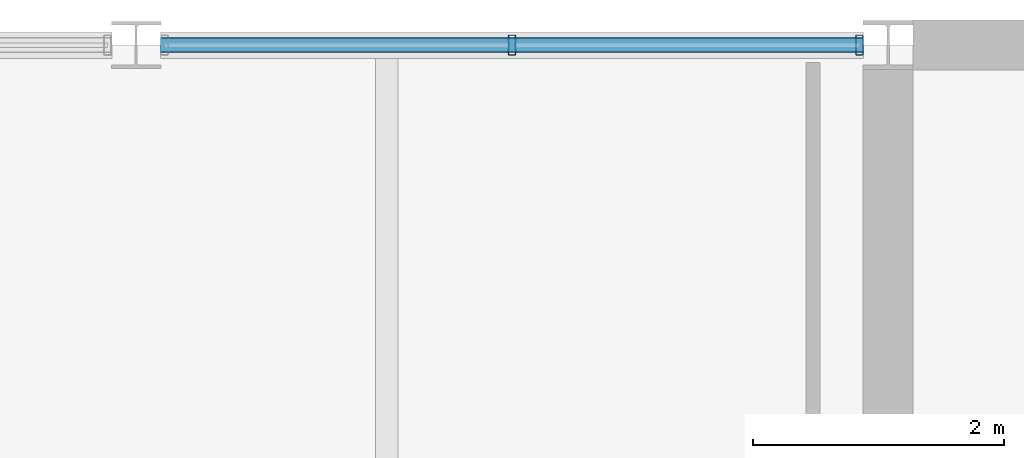
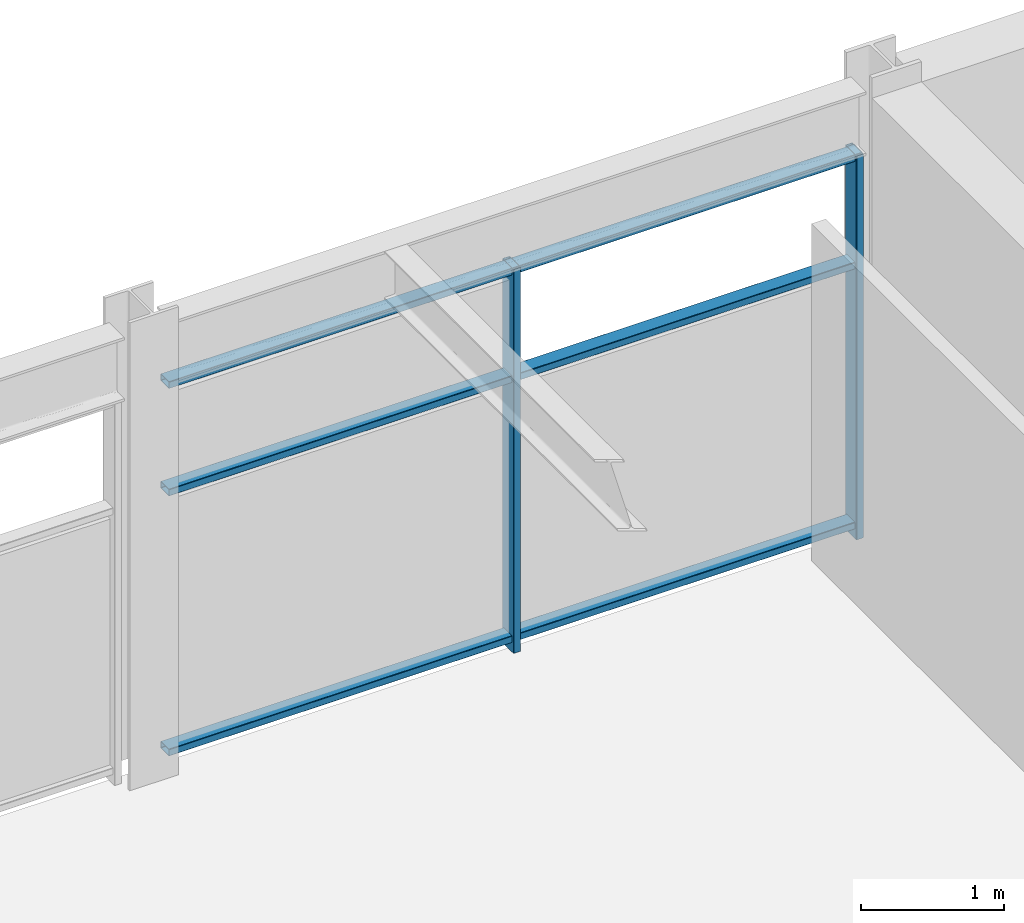
# One storey, part 37 of 51: 5 members, 1 element without a shape of its own.
"""IFC4 building model written with IfcOpenShell, lengths in metres."""

from ifc_helpers import new_model, si_unit, direction, frame, origin, origin_2d, place, context, subcontext, project, spatial, hollow_rectangle, extrude, material, material_profile, profile_set, type_object, element, aggregate, save


model = new_model("IFC4")

# Units and contexts
model_context = context("Model", 3, precision=1e-05, world=origin(), true_north=direction((0.0, 1.0)))
body_context = subcontext(model_context, "Body", "Model", "MODEL_VIEW")
ifc_project = project(units=[si_unit("LENGTHUNIT", "METRE"), si_unit("AREAUNIT", "SQUARE_METRE"), si_unit("VOLUMEUNIT", "CUBIC_METRE"), si_unit("PLANEANGLEUNIT", "RADIAN"), si_unit("MASSUNIT", "GRAM", prefix="KILO")], contexts=[model_context])

# Site, building, storey
site_placement = place(None, origin())
site = spatial("IfcSite", under=ifc_project, at=site_placement, CompositionType="ELEMENT")
building_placement = place(site_placement, origin())
building = spatial("IfcBuilding", under=site, at=building_placement, Name="Girod Span Mobility Hub", CompositionType="ELEMENT")
storey_placement = place(building_placement, frame((0.0, 0.0, 41.60009765625)))
storey = spatial("IfcBuildingStorey", under=building, at=storey_placement, Name="L10", CompositionType="ELEMENT", Elevation=41.60009765625)

# Curtain wall, members
ifc_material_1 = material(Name="Thermally Broken Anodised Aluminium", Category="aluminium")
curtain_wall_type = type_object("IfcCurtainWallType", Name="CW-561X328", PredefinedType="USERDEFINED", material=ifc_material_1)
curtain_wall_placement = place(storey_placement, origin())
curtain_wall = element("IfcCurtainWall", 1, at=curtain_wall_placement, inside=storey, type_object=curtain_wall_type, Name="Unitised Curtain Wall CW-L10-N09E L10", ObjectType="UNITISED CURTAIN WALL", PredefinedType="USERDEFINED")
ifc_material_2 = material(Name="Thermally Broken Anodised Aluminium", Category="aluminium")
ifc_material_profile_1 = material_profile(ifc_material_2, hollow_rectangle(XDim=0.159912109375, YDim=0.06005859375, WallThickness=0.00341796875, InnerFilletRadius=0.00341796875, OuterFilletRadius=0.007080078125, at=origin_2d()), Name="CW-ML-60X160")
ifc_profile_set_1 = profile_set([ifc_material_profile_1], Name="Thermally Broken Anodised Aluminium")
member_type_1 = type_object("IfcMemberType", Name="CWM-ML-3", PredefinedType="MULLION", material=ifc_profile_set_1)
member_1_placement = place(storey_placement, frame((104.998779296875, 69.0, 0.0), z_axis=(0.0, 0.0, 1.0), x_axis=(0.0, 1.0, 0.0)))
member_1 = element("IfcMember", 2, at=member_1_placement, type_object=member_type_1, Name="Curtain Wall Mullion CW-L10-N09E-M1", PredefinedType="MULLION", context=body_context, shape_type="SweptSolid", body=[
    extrude(hollow_rectangle(XDim=0.159912109375, YDim=0.06005859375, WallThickness=0.00341796875, InnerFilletRadius=0.00341796875, OuterFilletRadius=0.007080078125, at=origin_2d()), origin(), (0.0, 0.0, 1.0), 3.281005859375),
])
member_2_placement = place(storey_placement, frame((107.7705078125, 69.0, 0.0), z_axis=(0.0, 0.0, 1.0), x_axis=(0.0, 1.0, 0.0)))
member_2 = element("IfcMember", 3, at=member_2_placement, type_object=member_type_1, Name="Curtain Wall Mullion CW-L10-N09E-M2", PredefinedType="MULLION", context=body_context, shape_type="SweptSolid", body=[
    extrude(hollow_rectangle(XDim=0.159912109375, YDim=0.06005859375, WallThickness=0.00341796875, InnerFilletRadius=0.00341796875, OuterFilletRadius=0.007080078125, at=origin_2d()), origin(), (0.0, 0.0, 1.0), 3.281005859375),
])
ifc_material_3 = material(Name="Thermally Broken Anodised Aluminium", Category="aluminium")
ifc_material_profile_2 = material_profile(ifc_material_3, hollow_rectangle(XDim=0.1201171875, YDim=0.06005859375, WallThickness=0.00341796875, InnerFilletRadius=0.00341796875, OuterFilletRadius=0.007080078125, at=origin_2d()), Name="CW-TR-60X120")
ifc_profile_set_2 = profile_set([ifc_material_profile_2], Name="Thermally Broken Anodised Aluminium")
member_type_2 = type_object("IfcMemberType", Name="CWM-TR-3", PredefinedType="USERDEFINED", material=ifc_profile_set_2)
member_3_placement = place(storey_placement, frame((102.195068359375, 69.0, 0.10986328125), z_axis=(1.0, 0.0, 0.0), x_axis=(0.0, 1.0, 0.0)))
member_3 = element("IfcMember", 4, at=member_3_placement, type_object=member_type_2, Name="Curtain Wall Transom CW-L10-N09E-T1", ObjectType="TRANSOM", PredefinedType="USERDEFINED", context=body_context, shape_type="SweptSolid", body=[
    extrude(hollow_rectangle(XDim=0.1201171875, YDim=0.06005859375, WallThickness=0.00341796875, InnerFilletRadius=0.00341796875, OuterFilletRadius=0.007080078125, at=origin_2d()), origin(), (0.0, 0.0, 1.0), 5.607421875),
])
member_4_placement = place(storey_placement, frame((102.195068359375, 69.0, 2.332275390625), z_axis=(1.0, 0.0, 0.0), x_axis=(0.0, 1.0, 0.0)))
member_4 = element("IfcMember", 5, at=member_4_placement, type_object=member_type_2, Name="Curtain Wall Transom CW-L10-N09E-T2", ObjectType="TRANSOM", PredefinedType="USERDEFINED", context=body_context, shape_type="SweptSolid", body=[
    extrude(hollow_rectangle(XDim=0.1201171875, YDim=0.06005859375, WallThickness=0.00341796875, InnerFilletRadius=0.00341796875, OuterFilletRadius=0.007080078125, at=origin_2d()), origin(), (0.0, 0.0, 1.0), 5.607421875),
])
member_5_placement = place(storey_placement, frame((102.195068359375, 69.0, 3.2509765625), z_axis=(1.0, 0.0, 0.0), x_axis=(0.0, 1.0, 0.0)))
member_5 = element("IfcMember", 6, at=member_5_placement, type_object=member_type_2, Name="Curtain Wall Transom CW-L10-N09E-T3", ObjectType="TRANSOM", PredefinedType="USERDEFINED", context=body_context, shape_type="SweptSolid", body=[
    extrude(hollow_rectangle(XDim=0.1201171875, YDim=0.06005859375, WallThickness=0.00341796875, InnerFilletRadius=0.00341796875, OuterFilletRadius=0.007080078125, at=origin_2d()), origin(), (0.0, 0.0, 1.0), 5.607421875),
])
aggregate(curtain_wall, [member_1, member_2, member_3, member_4, member_5])

save(model, "model.ifc")
